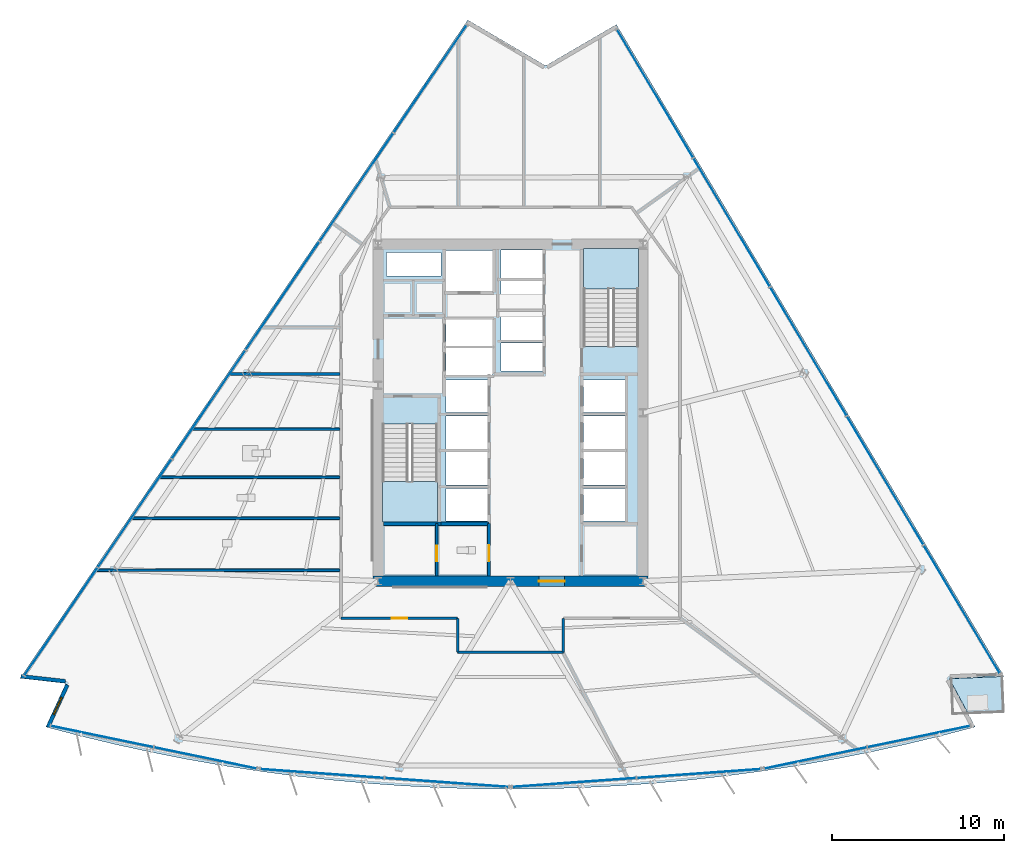
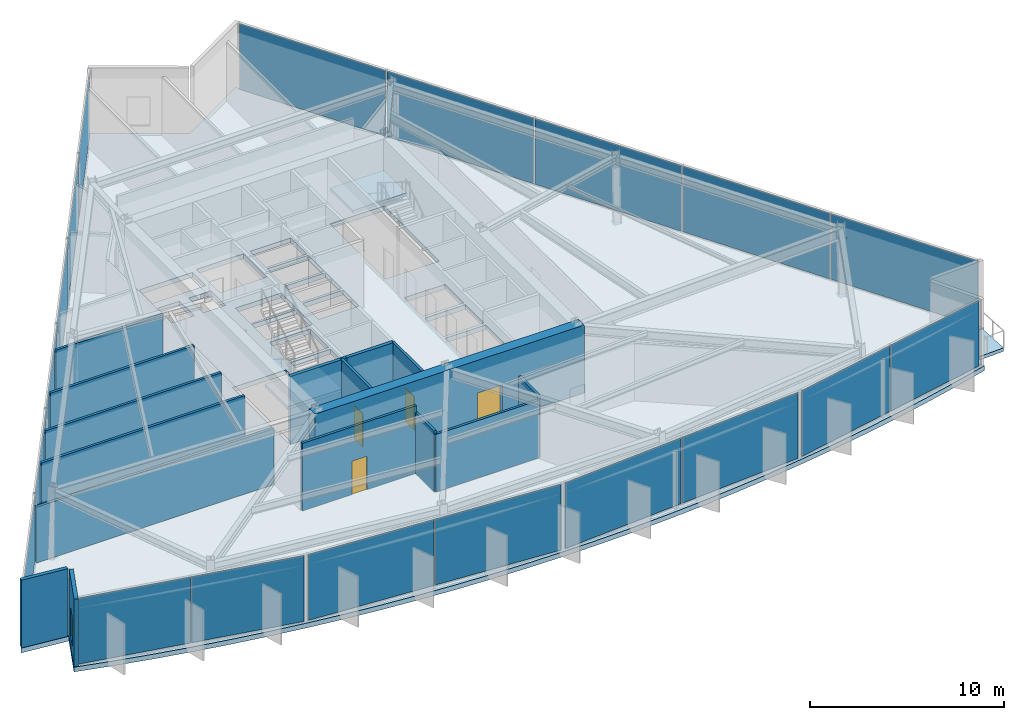
# One storey, part 6 of 14: 19 plates, 16 walls, 4 doors, 4 slabs, 1 window, 5 openings, 8 elements without a shape of their own.
"""IFC4 building model written with IfcOpenShell, lengths in metres."""

from ifc_helpers import new_model, si_unit, direction, frame, frame_2d, origin, origin_2d, place, context, subcontext, project, spatial, polyline, rectangle, outline, extrude, material, layer, layer_set, type_object, element, fill, aggregate, save


model = new_model("IFC4")

# Units and contexts
model_context = context("Model", 3, precision=1e-05, world=origin(), true_north=direction((0.0, 1.0)))
body_context = subcontext(model_context, "Body", "Model", "MODEL_VIEW")
ifc_project = project(units=[si_unit("LENGTHUNIT", "METRE"), si_unit("AREAUNIT", "SQUARE_METRE"), si_unit("VOLUMEUNIT", "CUBIC_METRE"), si_unit("PLANEANGLEUNIT", "RADIAN"), si_unit("MASSUNIT", "GRAM", prefix="KILO")], contexts=[model_context])

# Site, building, storey
site_placement = place(None, origin())
site = spatial("IfcSite", under=ifc_project, at=site_placement, CompositionType="ELEMENT")
building_placement = place(site_placement, origin())
building = spatial("IfcBuilding", under=site, at=building_placement, Name="Savorim Split Tower", CompositionType="ELEMENT")
storey_placement = place(building_placement, frame((0.0, 0.0, 78.0)))
storey = spatial("IfcBuildingStorey", under=building, at=storey_placement, Name="L20", CompositionType="ELEMENT", Elevation=78.0)

# Curtain wall, plates
ifc_material_1 = material(Name="Dark Ceramic-Fritted Insulated Glass", Category="glass")
curtain_wall_type = type_object("IfcCurtainWallType", Name="CW-SKY-ATRIUM", PredefinedType="NOTDEFINED", material=ifc_material_1)
curtain_wall_1_placement = place(storey_placement, origin())
curtain_wall_1 = element("IfcCurtainWall", 1, at=curtain_wall_1_placement, inside=storey, type_object=curtain_wall_type, Name="L20 Curtain Wall CW-L20-SF1", PredefinedType="NOTDEFINED")
ifc_layer_1 = layer(ifc_material_1, 0.028076171875)
ifc_layer_set_1 = layer_set([ifc_layer_1], Name="CWP-FRITA-28")
plate_type = type_object("IfcPlateType", Name="CWP-FRITA-28", PredefinedType="CURTAIN_PANEL", material=ifc_layer_set_1)
plate_1_placement = place(storey_placement, frame((-23.759521484375, -18.44091796875, 0.06005859375), z_axis=(0.0, 0.0, 1.0), x_axis=(0.979135145772, -0.203210153081, 0.0)))
plate_1 = element("IfcPlate", 2, at=plate_1_placement, type_object=plate_type, Name="CW-05 panel 1.1", PredefinedType="CURTAIN_PANEL", context=body_context, shape_type="SweptSolid", body=[
    extrude(rectangle(XDim=6.064453125, YDim=0.028076171875, at=origin_2d()), origin(), (0.0, 0.0, 1.0), 4.1298828125),
])
plate_2_placement = place(storey_placement, frame((-17.7529296875, -19.6875, 0.06005859375), z_axis=(0.0, 0.0, 1.0), x_axis=(0.979135145772, -0.203210153081, 0.0)))
plate_2 = element("IfcPlate", 3, at=plate_2_placement, type_object=plate_type, Name="CW-05 panel 2.1", PredefinedType="CURTAIN_PANEL", context=body_context, shape_type="SweptSolid", body=[
    extrude(rectangle(XDim=6.064453125, YDim=0.028076171875, at=origin_2d()), origin(), (0.0, 0.0, 1.0), 4.1298828125),
])
aggregate(curtain_wall_1, [plate_1, plate_2])

curtain_wall_2_placement = place(storey_placement, origin())
curtain_wall_2 = element("IfcCurtainWall", 4, at=curtain_wall_2_placement, inside=storey, type_object=curtain_wall_type, Name="L20 Curtain Wall CW-L20-SF2", PredefinedType="NOTDEFINED")
plate_3_placement = place(storey_placement, frame((-10.954833984375, -20.594482421875, 0.06005859375), z_axis=(0.0, 0.0, 1.0), x_axis=(0.997436258114, -0.071560540796, 0.0)))
plate_3 = element("IfcPlate", 5, at=plate_3_placement, type_object=plate_type, Name="CW-05 panel 1.1", PredefinedType="CURTAIN_PANEL", context=body_context, shape_type="SweptSolid", body=[
    extrude(rectangle(XDim=7.1943359375, YDim=0.028076171875, at=origin_2d()), origin(), (0.0, 0.0, 1.0), 4.1298828125),
])
plate_4_placement = place(storey_placement, frame((-3.708984375, -21.1142578125, 0.06005859375), z_axis=(0.0, 0.0, 1.0), x_axis=(0.997436258114, -0.071560540796, 0.0)))
plate_4 = element("IfcPlate", 6, at=plate_4_placement, type_object=plate_type, Name="CW-05 panel 2.1", PredefinedType="CURTAIN_PANEL", context=body_context, shape_type="SweptSolid", body=[
    extrude(rectangle(XDim=7.1943359375, YDim=0.028076171875, at=origin_2d()), origin(), (0.0, 0.0, 1.0), 4.1298828125),
])
aggregate(curtain_wall_2, [plate_3, plate_4])

curtain_wall_3_placement = place(storey_placement, origin())
curtain_wall_3 = element("IfcCurtainWall", 7, at=curtain_wall_3_placement, inside=storey, type_object=curtain_wall_type, Name="L20 Curtain Wall CW-L20-SF3", PredefinedType="NOTDEFINED")
plate_5_placement = place(storey_placement, frame((3.708984375, -21.1142578125, 0.06005859375), z_axis=(0.0, 0.0, 1.0), x_axis=(0.997436258114, 0.071560540796, 0.0)))
plate_5 = element("IfcPlate", 8, at=plate_5_placement, type_object=plate_type, Name="CW-05 panel 1.1", PredefinedType="CURTAIN_PANEL", context=body_context, shape_type="SweptSolid", body=[
    extrude(rectangle(XDim=7.1943359375, YDim=0.028076171875, at=origin_2d()), origin(), (0.0, 0.0, 1.0), 4.1298828125),
])
plate_6_placement = place(storey_placement, frame((10.954833984375, -20.594482421875, 0.06005859375), z_axis=(0.0, 0.0, 1.0), x_axis=(0.997436258114, 0.071560540796, 0.0)))
plate_6 = element("IfcPlate", 9, at=plate_6_placement, type_object=plate_type, Name="CW-05 panel 2.1", PredefinedType="CURTAIN_PANEL", context=body_context, shape_type="SweptSolid", body=[
    extrude(rectangle(XDim=7.1943359375, YDim=0.028076171875, at=origin_2d()), origin(), (0.0, 0.0, 1.0), 4.1298828125),
])
aggregate(curtain_wall_3, [plate_5, plate_6])

curtain_wall_4_placement = place(storey_placement, origin())
curtain_wall_4 = element("IfcCurtainWall", 10, at=curtain_wall_4_placement, inside=storey, type_object=curtain_wall_type, Name="L20 Curtain Wall CW-L20-SF4", PredefinedType="NOTDEFINED")
plate_7_placement = place(storey_placement, frame((17.7529296875, -19.6875, 0.06005859375), z_axis=(0.0, 0.0, 1.0), x_axis=(0.979135145772, 0.203210153081, 0.0)))
plate_7 = element("IfcPlate", 11, at=plate_7_placement, type_object=plate_type, Name="CW-05 panel 1.1", PredefinedType="CURTAIN_PANEL", context=body_context, shape_type="SweptSolid", body=[
    extrude(rectangle(XDim=6.064453125, YDim=0.028076171875, at=origin_2d()), origin(), (0.0, 0.0, 1.0), 4.1298828125),
])
plate_8_placement = place(storey_placement, frame((23.759521484375, -18.44091796875, 0.06005859375), z_axis=(0.0, 0.0, 1.0), x_axis=(0.979135145772, 0.203210153081, 0.0)))
plate_8 = element("IfcPlate", 12, at=plate_8_placement, type_object=plate_type, Name="CW-05 panel 2.1", PredefinedType="CURTAIN_PANEL", context=body_context, shape_type="SweptSolid", body=[
    extrude(rectangle(XDim=6.064453125, YDim=0.028076171875, at=origin_2d()), origin(), (0.0, 0.0, 1.0), 4.1298828125),
])
aggregate(curtain_wall_4, [plate_7, plate_8])

curtain_wall_5_placement = place(storey_placement, origin())
curtain_wall_5 = element("IfcCurtainWall", 13, at=curtain_wall_5_placement, inside=storey, type_object=curtain_wall_type, Name="L20 Curtain Wall CW-L20-EAST", PredefinedType="NOTDEFINED")
plate_9_placement = place(storey_placement, frame((26.25537109375, -11.040283203125, 0.06005859375), z_axis=(0.0, 0.0, 1.0), x_axis=(-0.511093312545, 0.85952523283, 0.0)))
plate_9 = element("IfcPlate", 14, at=plate_9_placement, type_object=plate_type, Name="CW-05 panel 1.1", PredefinedType="CURTAIN_PANEL", context=body_context, shape_type="SweptSolid", body=[
    extrude(rectangle(XDim=8.630859375, YDim=0.028076171875, at=origin_2d()), origin(), (0.0, 0.0, 1.0), 4.1298828125),
])
plate_10_placement = place(storey_placement, frame((21.799560546875, -3.54638671875, 0.06005859375), z_axis=(0.0, 0.0, 1.0), x_axis=(-0.511093312545, 0.85952523283, 0.0)))
plate_10 = element("IfcPlate", 15, at=plate_10_placement, type_object=plate_type, Name="CW-05 panel 2.1", PredefinedType="CURTAIN_PANEL", context=body_context, shape_type="SweptSolid", body=[
    extrude(rectangle(XDim=8.666015625, YDim=0.028076171875, at=origin_2d()), origin(), (0.0, 0.0, 1.0), 4.1298828125),
])
plate_11_placement = place(storey_placement, frame((17.334716796875, 3.96240234375, 0.06005859375), z_axis=(0.0, 0.0, 1.0), x_axis=(-0.511093312545, 0.85952523283, 0.0)))
plate_11 = element("IfcPlate", 16, at=plate_11_placement, type_object=plate_type, Name="CW-05 panel 3.1", PredefinedType="CURTAIN_PANEL", context=body_context, shape_type="SweptSolid", body=[
    extrude(rectangle(XDim=8.666015625, YDim=0.028076171875, at=origin_2d()), origin(), (0.0, 0.0, 1.0), 4.1298828125),
])
plate_12_placement = place(storey_placement, frame((12.86962890625, 11.470947265625, 0.06005859375), z_axis=(0.0, 0.0, 1.0), x_axis=(-0.511093312545, 0.85952523283, 0.0)))
plate_12 = element("IfcPlate", 17, at=plate_12_placement, type_object=plate_type, Name="CW-05 panel 4.1", PredefinedType="CURTAIN_PANEL", context=body_context, shape_type="SweptSolid", body=[
    extrude(rectangle(XDim=8.666015625, YDim=0.028076171875, at=origin_2d()), origin(), (0.0, 0.0, 1.0), 4.1298828125),
])
plate_13_placement = place(storey_placement, frame((8.413818359375, 18.96484375, 0.06005859375), z_axis=(0.0, 0.0, 1.0), x_axis=(-0.511093312545, 0.85952523283, 0.0)))
plate_13 = element("IfcPlate", 18, at=plate_13_placement, type_object=plate_type, Name="CW-05 panel 5.1", PredefinedType="CURTAIN_PANEL", context=body_context, shape_type="SweptSolid", body=[
    extrude(rectangle(XDim=8.630859375, YDim=0.028076171875, at=origin_2d()), origin(), (0.0, 0.0, 1.0), 4.1298828125),
])
aggregate(curtain_wall_5, [plate_9, plate_10, plate_11, plate_12, plate_13])

curtain_wall_6_placement = place(storey_placement, origin())
curtain_wall_6 = element("IfcCurtainWall", 19, at=curtain_wall_6_placement, inside=storey, type_object=curtain_wall_type, Name="L20 Curtain Wall CW-L20-WEST", PredefinedType="NOTDEFINED")
plate_14_placement = place(storey_placement, frame((-4.668212890625, 19.822998046875, 0.06005859375), z_axis=(0.0, 0.0, 1.0), x_axis=(-0.562466747381, -0.826819906685, 0.0)))
plate_14 = element("IfcPlate", 20, at=plate_14_placement, type_object=plate_type, Name="CW-05 panel 1.1", PredefinedType="CURTAIN_PANEL", context=body_context, shape_type="SweptSolid", body=[
    extrude(rectangle(XDim=7.54150390625, YDim=0.028076171875, at=origin_2d()), origin(), (0.0, 0.0, 1.0), 4.1298828125),
])
plate_15_placement = place(storey_placement, frame((-8.959228515625, 13.51513671875, 0.06005859375), z_axis=(0.0, 0.0, 1.0), x_axis=(-0.562466747381, -0.826819906685, 0.0)))
plate_15 = element("IfcPlate", 21, at=plate_15_placement, type_object=plate_type, Name="CW-05 panel 2.1", PredefinedType="CURTAIN_PANEL", context=body_context, shape_type="SweptSolid", body=[
    extrude(rectangle(XDim=7.576416015625, YDim=0.028076171875, at=origin_2d()), origin(), (0.0, 0.0, 1.0), 4.1298828125),
])
plate_16_placement = place(storey_placement, frame((-13.260009765625, 7.19287109375, 0.06005859375), z_axis=(0.0, 0.0, 1.0), x_axis=(-0.562466747381, -0.826819906685, 0.0)))
plate_16 = element("IfcPlate", 22, at=plate_16_placement, type_object=plate_type, Name="CW-05 panel 3.1", PredefinedType="CURTAIN_PANEL", context=body_context, shape_type="SweptSolid", body=[
    extrude(rectangle(XDim=7.576416015625, YDim=0.028076171875, at=origin_2d()), origin(), (0.0, 0.0, 1.0), 4.1298828125),
])
plate_17_placement = place(storey_placement, frame((-17.56103515625, 0.87060546875, 0.06005859375), z_axis=(0.0, 0.0, 1.0), x_axis=(-0.562466747381, -0.826819906685, 0.0)))
plate_17 = element("IfcPlate", 23, at=plate_17_placement, type_object=plate_type, Name="CW-05 panel 4.1", PredefinedType="CURTAIN_PANEL", context=body_context, shape_type="SweptSolid", body=[
    extrude(rectangle(XDim=7.576416015625, YDim=0.028076171875, at=origin_2d()), origin(), (0.0, 0.0, 1.0), 4.1298828125),
])
plate_18_placement = place(storey_placement, frame((-21.86181640625, -5.45166015625, 0.06005859375), z_axis=(0.0, 0.0, 1.0), x_axis=(-0.562466747381, -0.826819906685, 0.0)))
plate_18 = element("IfcPlate", 24, at=plate_18_placement, type_object=plate_type, Name="CW-05 panel 5.1", PredefinedType="CURTAIN_PANEL", context=body_context, shape_type="SweptSolid", body=[
    extrude(rectangle(XDim=7.576416015625, YDim=0.028076171875, at=origin_2d()), origin(), (0.0, 0.0, 1.0), 4.1298828125),
])
plate_19_placement = place(storey_placement, frame((-26.153076171875, -11.759521484375, 0.06005859375), z_axis=(0.0, 0.0, 1.0), x_axis=(-0.562466747381, -0.826819906685, 0.0)))
plate_19 = element("IfcPlate", 25, at=plate_19_placement, type_object=plate_type, Name="CW-05 panel 6.1", PredefinedType="CURTAIN_PANEL", context=body_context, shape_type="SweptSolid", body=[
    extrude(rectangle(XDim=7.54150390625, YDim=0.028076171875, at=origin_2d()), origin(), (0.0, 0.0, 1.0), 4.1298828125),
])
aggregate(curtain_wall_6, [plate_14, plate_15, plate_16, plate_17, plate_18, plate_19])

# Slab
ifc_material_2 = material(Name="Concrete C50/60", Category="concrete")
ifc_layer_2 = layer(ifc_material_2, 0.219970703125)
ifc_layer_set_2 = layer_set([ifc_layer_2], Name="SLB-BAL-220")
slab_type_1 = type_object("IfcSlabType", Name="SLB-BAL-220", PredefinedType="FLOOR", material=ifc_layer_set_2)
slab_1_placement = place(storey_placement, frame((0.0, 0.0, -0.219970703125)))
element("IfcSlab", 26, at=slab_1_placement, inside=storey, type_object=slab_type_1, Name="L20 Notched Corner Planted Tree Balcony Slab", PredefinedType="FLOOR", context=body_context, shape_type="SweptSolid", body=[
    extrude(outline(polyline([(28.5927734375, -14.947509765625), (25.64892578125, -15.07275390625), (25.65869140625, -15.3046875), (26.61083984375, -17.07861328125), (28.6796875, -16.990478515625), (28.5927734375, -14.947509765625)])), origin(), (0.0, 0.0, 1.0), 0.219970703125),
])

# Stair, slab
stair_type = type_object("IfcStairType", Name="STR-DOG-4500", PredefinedType="HALF_TURN_STAIR", material=ifc_material_2)
stair_1_placement = place(storey_placement, origin())
stair_1 = element("IfcStair", 27, at=stair_1_placement, inside=storey, type_object=stair_type, Name="L20 Core Protected Exit Stair ST-1", PredefinedType="HALF_TURN_STAIR")
ifc_layer_3 = layer(ifc_material_2, 0.199951171875)
ifc_layer_set_3 = layer_set([ifc_layer_3], Name="SLB-LND-200")
slab_type_2 = type_object("IfcSlabType", Name="SLB-LND-200", PredefinedType="LANDING", material=ifc_layer_set_3)
slab_2_placement = place(storey_placement, frame((0.0, 0.0, 2.050048828125)))
slab_2 = element("IfcSlab", 28, at=slab_2_placement, type_object=slab_type_2, Name="ST-1 landing 1", PredefinedType="LANDING", context=body_context, shape_type="SweptSolid", body=[
    extrude(outline(polyline([(-7.449951171875, -3.610107421875), (-7.449951171875, -5.949951171875), (-4.25, -5.949951171875), (-4.25, -3.610107421875), (-7.449951171875, -3.610107421875)])), origin(), (0.0, 0.0, 1.0), 0.199951171875),
])
aggregate(stair_1, [slab_2])

stair_2_placement = place(storey_placement, origin())
stair_2 = element("IfcStair", 29, at=stair_2_placement, inside=storey, type_object=stair_type, Name="L20 Core Protected Exit Stair ST-2", PredefinedType="HALF_TURN_STAIR")
slab_3_placement = place(storey_placement, frame((0.0, 0.0, 2.050048828125)))
slab_3 = element("IfcSlab", 30, at=slab_3_placement, type_object=slab_type_2, Name="ST-2 landing 1", PredefinedType="LANDING", context=body_context, shape_type="SweptSolid", body=[
    extrude(outline(polyline([(7.449951171875, 7.610107421875), (7.449951171875, 9.949951171875), (4.25, 9.949951171875), (4.25, 7.610107421875), (7.449951171875, 7.610107421875)])), origin(), (0.0, 0.0, 1.0), 0.199951171875),
])
aggregate(stair_2, [slab_3])

# Slab
ifc_layer_4 = layer(ifc_material_2, 0.300048828125)
ifc_layer_set_4 = layer_set([ifc_layer_4], Name="SLB-SKY-300")
slab_type_3 = type_object("IfcSlabType", Name="SLB-SKY-300", PredefinedType="FLOOR", material=ifc_layer_set_4)
slab_4_placement = place(storey_placement, frame((0.0, 0.0, -0.300048828125)))
element("IfcSlab", 31, at=slab_4_placement, inside=storey, type_object=slab_type_3, Name="L20 Structural Floor Slab", PredefinedType="FLOOR", context=body_context, shape_type="SweptSolid", body=[
    extrude(outline(polyline([(-27.036865234375, -17.88330078125), (-25.000732421875, -18.415771484375), (-22.954345703125, -18.90625), (-20.898193359375, -19.35498046875), (-18.83349609375, -19.76171875), (-16.7607421875, -20.125732421875), (-14.68115234375, -20.447509765625), (-12.59521484375, -20.7265625), (-10.504150390625, -20.962890625), (-8.40869140625, -21.156494140625), (-6.3095703125, -21.30712890625), (-4.207763671875, -21.414794921875), (-2.104248046875, -21.479248046875), (0.0, -21.500732421875), (2.104248046875, -21.479248046875), (4.207763671875, -21.414794921875), (6.3095703125, -21.30712890625), (8.40869140625, -21.156494140625), (10.504150390625, -20.962890625), (12.59521484375, -20.7265625), (14.68115234375, -20.447509765625), (16.7607421875, -20.125732421875), (18.83349609375, -19.76171875), (20.898193359375, -19.35498046875), (22.954345703125, -18.90625), (25.000732421875, -18.415771484375), (27.036865234375, -17.88330078125), (25.52880859375, -15.072998046875), (28.71240234375, -14.9375), (6.1630859375, 22.984619140625), (2.046875, 20.585693359375), (-2.4833984375, 23.248046875), (-28.536376953125, -15.049560546875), (-25.87158203125, -15.34716796875), (-27.036865234375, -17.88330078125)]), holes=[polyline([(-7.449951171875, -0.25390625), (-7.449951171875, -5.949951171875), (-4.25, -5.949951171875), (-4.25, -0.25390625), (-7.449951171875, -0.25390625)]), polyline([(7.449951171875, 4.25390625), (7.449951171875, 9.949951171875), (4.25, 9.949951171875), (4.25, 4.25390625), (7.449951171875, 4.25390625)]), polyline([(4.25, -5.89990234375), (6.64990234375, -5.89990234375), (6.64990234375, -4.0), (4.25, -4.0), (4.25, -5.89990234375)]), polyline([(4.25, -3.800048828125), (6.64990234375, -3.800048828125), (6.64990234375, -1.89990234375), (4.25, -1.89990234375), (4.25, -3.800048828125)]), polyline([(4.25, -1.699951171875), (6.64990234375, -1.699951171875), (6.64990234375, 0.199951171875), (4.25, 0.199951171875), (4.25, -1.699951171875)]), polyline([(4.25, 0.39990234375), (6.64990234375, 0.39990234375), (6.64990234375, 2.300048828125), (4.25, 2.300048828125), (4.25, 0.39990234375)]), polyline([(-3.75, -5.89990234375), (-1.35009765625, -5.89990234375), (-1.35009765625, -4.0), (-3.75, -4.0), (-3.75, -5.89990234375)]), polyline([(-3.75, -3.800048828125), (-1.35009765625, -3.800048828125), (-1.35009765625, -1.89990234375), (-3.75, -1.89990234375), (-3.75, -3.800048828125)]), polyline([(-3.75, -1.699951171875), (-1.35009765625, -1.699951171875), (-1.35009765625, 0.199951171875), (-3.75, 0.199951171875), (-3.75, -1.699951171875)]), polyline([(-3.75, 0.39990234375), (-1.35009765625, 0.39990234375), (-1.35009765625, 2.300048828125), (-3.75, 2.300048828125), (-3.75, 0.39990234375)]), polyline([(-0.550048828125, 2.830078125), (1.85009765625, 2.830078125), (1.85009765625, 4.469970703125), (-0.550048828125, 4.469970703125), (-0.550048828125, 2.830078125)]), polyline([(-0.550048828125, 4.6298828125), (1.85009765625, 4.6298828125), (1.85009765625, 6.27001953125), (-0.550048828125, 6.27001953125), (-0.550048828125, 4.6298828125)]), polyline([(-0.550048828125, 6.429931640625), (1.85009765625, 6.429931640625), (1.85009765625, 8.070068359375), (-0.550048828125, 8.070068359375), (-0.550048828125, 6.429931640625)]), polyline([(-0.550048828125, 8.22998046875), (1.85009765625, 8.22998046875), (1.85009765625, 9.8701171875), (-0.550048828125, 9.8701171875), (-0.550048828125, 8.22998046875)]), polyline([(-3.75, 2.60009765625), (-1.050048828125, 2.60009765625), (-1.050048828125, 4.159912109375), (-3.75, 4.159912109375), (-3.75, 2.60009765625)]), polyline([(-3.75, 4.280029296875), (-1.050048828125, 4.280029296875), (-1.050048828125, 5.840087890625), (-3.75, 5.840087890625), (-3.75, 4.280029296875)]), polyline([(-3.75, 7.449951171875), (-0.949951171875, 7.449951171875), (-0.949951171875, 9.85009765625), (-3.75, 9.85009765625), (-3.75, 7.449951171875)]), polyline([(-7.219970703125, 6.320068359375), (-5.919921875, 6.320068359375), (-5.919921875, 7.820068359375), (-7.219970703125, 7.820068359375), (-7.219970703125, 6.320068359375)]), polyline([(-5.3798828125, 6.320068359375), (-4.050048828125, 6.320068359375), (-4.050048828125, 7.820068359375), (-5.3798828125, 7.820068359375), (-5.3798828125, 6.320068359375)]), polyline([(-7.219970703125, 8.360107421875), (-4.050048828125, 8.360107421875), (-4.050048828125, 9.719970703125), (-7.219970703125, 9.719970703125), (-7.219970703125, 8.360107421875)])]), origin(), (0.0, 0.0, 1.0), 0.300048828125),
])

# Wall, opening, door
ifc_material_3 = material(Name="Concrete C60/75", Category="concrete")
ifc_layer_5 = layer(ifc_material_3, 0.60009765625)
ifc_layer_set_5 = layer_set([ifc_layer_5], Name="WAL-COR-SH600")
wall_type_1 = type_object("IfcWallType", Name="WAL-COR-SH600", PredefinedType="SHEAR", material=ifc_layer_set_5)
wall_1_placement = place(storey_placement, frame((-8.0, -9.39990234375, 0.0), z_axis=(0.0, 0.0, 1.0), x_axis=(1.0, 0.0, 0.0)))
wall_1 = element("IfcWall", 32, at=wall_1_placement, inside=storey, type_object=wall_type_1, Name="L20 Offset Core South Shear Wall", PredefinedType="SHEAR", context=body_context, shape_type="SweptSolid", body=[
    extrude(rectangle(XDim=16.0, YDim=0.60009765625, at=frame_2d((8.0, 0.0))), origin(), (0.0, 0.0, 1.0), 4.25),
])
opening_1_placement = place(wall_1_placement, frame((9.64990234375, 0.0, 0.0)))
opening_1 = element("IfcOpeningElement", 33, at=opening_1_placement, cuts=wall_1, Name="Opening DI-02", PredefinedType="OPENING", context=body_context, shape_type="SweptSolid", body=[
    extrude(rectangle(XDim=1.5, YDim=2.199951171875, at=frame_2d((0.75, 1.10009765625))), frame((0.0, 0.31005859375, 0.0), z_axis=(0.0, -1.0, 0.0), x_axis=(1.0, 0.0, 0.0)), (0.0, 0.0, 1.0), 0.6201171875),
])
ifc_material_4 = material(Name="Timber Fire Door Leaf", Category="wood")
door_type_1 = type_object("IfcDoorType", Name="DOR-DBL-1500", OperationType="NOTDEFINED", PredefinedType="DOOR", material=ifc_material_4)
door_1_placement = place(opening_1_placement, origin())
door_1 = element("IfcDoor", 34, at=door_1_placement, inside=storey, type_object=door_type_1, Name="DOR-L20-COR-LLOB - L20 Lift Lobby Main Rated Door", OperationType="DOUBLE_DOOR_SINGLE_SWING", OverallHeight=2.199951171875, OverallWidth=1.5, PredefinedType="DOOR", context=body_context, shape_type="SweptSolid", body=[
    extrude(rectangle(XDim=1.5, YDim=2.199951171875, at=frame_2d((0.75, 1.10009765625))), frame((0.0, 0.02490234375, 0.0), z_axis=(0.0, -1.0, 0.0), x_axis=(1.0, 0.0, 0.0)), (0.0, 0.0, 1.0), 0.050048828125),
])
fill(opening_1, door_1)

# Wall
ifc_material_5 = material(Name="Precast concrete C40/50", Category="concrete")
ifc_layer_6 = layer(ifc_material_5, 0.219970703125)
ifc_layer_set_6 = layer_set([ifc_layer_6], Name="WAL-EXT-CRN220")
wall_type_2 = type_object("IfcWallType", Name="WAL-EXT-CRN220", PredefinedType="SOLIDWALL", material=ifc_layer_set_6)
wall_2_placement = place(storey_placement, frame((-25.89794921875, -15.223388671875, 0.0), z_axis=(0.0, 0.0, 1.0), x_axis=(-0.993827522589, 0.110936267041, 0.0)))
element("IfcWall", 35, at=wall_2_placement, inside=storey, type_object=wall_type_2, Name="L20 Notched Corner Facade Wall SW1", PredefinedType="SOLIDWALL", context=body_context, shape_type="SweptSolid", body=[
    extrude(rectangle(XDim=2.601318359375, YDim=0.219970703125, at=frame_2d((1.30078125, 0.0))), origin(), (0.0, 0.0, 1.0), 4.25),
])

# Wall, opening, window
wall_3_placement = place(storey_placement, frame((-26.9111328125, -17.89697265625, 0.0), z_axis=(0.0, 0.0, 1.0), x_axis=(0.417504190978, 0.908674997189, 0.0)))
wall_3 = element("IfcWall", 36, at=wall_3_placement, inside=storey, type_object=wall_type_2, Name="L20 Notched Corner Facade Wall SW", PredefinedType="SOLIDWALL", context=body_context, shape_type="SweptSolid", body=[
    extrude(rectangle(XDim=2.7109375, YDim=0.219970703125, at=frame_2d((1.35546875, 0.0))), origin(), (0.0, 0.0, 1.0), 4.25),
])
opening_2_placement = place(wall_3_placement, frame((0.805419921875, 0.0, 0.6201171875)))
opening_2 = element("IfcOpeningElement", 37, at=opening_2_placement, cuts=wall_3, Name="Opening WN-09", PredefinedType="OPENING", context=body_context, shape_type="SweptSolid", body=[
    extrude(rectangle(XDim=1.10009765625, YDim=1.800048828125, at=frame_2d((0.550048828125, 0.89990234375))), frame((0.0, 0.119873046875, 0.0), z_axis=(0.0, -1.0, 0.0), x_axis=(1.0, 0.0, 0.0)), (0.0, 0.0, 1.0), 0.239990234375),
])
ifc_material_6 = material(Name="Low-E Operable Double Glazing", Category="glass")
window_type = type_object("IfcWindowType", Name="WIN-TWR-1100x1800", PartitioningType="SINGLE_PANEL", PredefinedType="WINDOW", material=ifc_material_6)
window_placement = place(opening_2_placement, origin())
window = element("IfcWindow", 38, at=window_placement, inside=storey, type_object=window_type, Name="L20 Operable Corner Window SW", OverallHeight=1.800048828125, OverallWidth=1.10009765625, PartitioningType="SINGLE_PANEL", PredefinedType="WINDOW", context=body_context, shape_type="SweptSolid", body=[
    extrude(rectangle(XDim=1.10009765625, YDim=1.800048828125, at=frame_2d((0.550048828125, 0.89990234375))), frame((0.0, 0.030029296875, 0.0), z_axis=(0.0, -1.0, 0.0), x_axis=(1.0, 0.0, 0.0)), (0.0, 0.0, 1.0), 0.06005859375),
])
fill(opening_2, window)

# Walls
ifc_layer_7 = layer(ifc_material_2, 0.199951171875)
ifc_layer_set_7 = layer_set([ifc_layer_7], Name="WAL-INT-RC200")
wall_type_3 = type_object("IfcWallType", Name="WAL-INT-RC200", PredefinedType="SOLIDWALL", material=ifc_layer_set_7)
wall_4_placement = place(storey_placement, frame((-7.39990234375, -6.050048828125, 0.0), z_axis=(0.0, 0.0, 1.0), x_axis=(1.0, 0.0, 0.0)))
element("IfcWall", 39, at=wall_4_placement, inside=storey, type_object=wall_type_3, Name="L20 Structural Shaft Wall W-L20-KSEP-W", PredefinedType="SOLIDWALL", context=body_context, shape_type="SweptSolid", body=[
    extrude(rectangle(XDim=3.349853515625, YDim=0.199951171875, at=frame_2d((1.6748046875, 0.0))), origin(), (0.0, 0.0, 1.0), 4.25),
])
wall_5_placement = place(storey_placement, frame((-4.0400390625, -6.050048828125, 0.0), z_axis=(0.0, 0.0, 1.0), x_axis=(1.0, 0.0, 0.0)))
element("IfcWall", 40, at=wall_5_placement, inside=storey, type_object=wall_type_3, Name="L20 Partition W-L20-KSEP-W2", PredefinedType="SOLIDWALL", context=body_context, shape_type="SweptSolid", body=[
    extrude(rectangle(XDim=2.7900390625, YDim=0.199951171875, at=frame_2d((1.39501953125, 0.0))), origin(), (0.0, 0.0, 1.0), 4.25),
])

# Wall, opening, door
ifc_material_7 = material(Name="Acoustic Gypsum Partition Board")
ifc_layer_8 = layer(ifc_material_7, 0.14990234375)
ifc_layer_set_8 = layer_set([ifc_layer_8], Name="WAL-PAR-150")
wall_type_4 = type_object("IfcWallType", Name="WAL-PAR-150", PredefinedType="PARTITIONING", material=ifc_layer_set_8)
wall_6_placement = place(storey_placement, frame((-1.25, -9.094970703125, 0.0), z_axis=(0.0, 0.0, 1.0), x_axis=(0.0, 1.0, 0.0)))
wall_6 = element("IfcWall", 41, at=wall_6_placement, inside=storey, type_object=wall_type_4, Name="L20 Partition W-L20-KLOB-W", PredefinedType="PARTITIONING", context=body_context, shape_type="SweptSolid", body=[
    extrude(rectangle(XDim=3.044921875, YDim=0.14990234375, at=frame_2d((1.5224609375, 0.0))), origin(), (0.0, 0.0, 1.0), 4.25),
])
opening_3_placement = place(wall_6_placement, frame((0.844970703125, 0.0, 0.0)))
opening_3 = element("IfcOpeningElement", 42, at=opening_3_placement, cuts=wall_6, Name="Opening DI-10", PredefinedType="OPENING", context=body_context, shape_type="SweptSolid", body=[
    extrude(rectangle(XDim=0.949951171875, YDim=2.10009765625, at=frame_2d((0.47509765625, 1.050048828125))), frame((0.0, 0.0849609375, 0.0), z_axis=(0.0, -1.0, 0.0), x_axis=(1.0, 0.0, 0.0)), (0.0, 0.0, 1.0), 0.169921875),
])
ifc_material_8 = material(Name="Oak Veneer Acoustic Door")
door_type_2 = type_object("IfcDoorType", Name="DOR-WC-950", OperationType="NOTDEFINED", PredefinedType="DOOR", material=ifc_material_8)
door_2_placement = place(opening_3_placement, origin())
door_2 = element("IfcDoor", 43, at=door_2_placement, inside=storey, type_object=door_type_2, Name="DR-L20-K1WC - L20 Core Accessible WC Door", OperationType="SINGLE_SWING_LEFT", OverallHeight=2.10009765625, OverallWidth=0.949951171875, PredefinedType="DOOR", context=body_context, shape_type="SweptSolid", body=[
    extrude(rectangle(XDim=0.949951171875, YDim=2.10009765625, at=frame_2d((0.47509765625, 1.050048828125))), frame((0.0, 0.02490234375, 0.0), z_axis=(0.0, -1.0, 0.0), x_axis=(1.0, 0.0, 0.0)), (0.0, 0.0, 1.0), 0.050048828125),
])
fill(opening_3, door_2)

wall_7_placement = place(storey_placement, frame((-4.300048828125, -9.094970703125, 0.0), z_axis=(0.0, 0.0, 1.0), x_axis=(0.0, 1.0, 0.0)))
wall_7 = element("IfcWall", 44, at=wall_7_placement, inside=storey, type_object=wall_type_4, Name="L20 Partition W-L20-K1W", PredefinedType="PARTITIONING", context=body_context, shape_type="SweptSolid", body=[
    extrude(rectangle(XDim=3.044921875, YDim=0.14990234375, at=frame_2d((1.5224609375, 0.0))), origin(), (0.0, 0.0, 1.0), 4.25),
])
opening_4_placement = place(wall_7_placement, frame((0.844970703125, 0.0, 0.0)))
opening_4 = element("IfcOpeningElement", 45, at=opening_4_placement, cuts=wall_7, Name="Opening DI-06", PredefinedType="OPENING", context=body_context, shape_type="SweptSolid", body=[
    extrude(rectangle(XDim=0.89990234375, YDim=2.10009765625, at=frame_2d((0.449951171875, 1.050048828125))), frame((0.0, 0.0849609375, 0.0), z_axis=(0.0, -1.0, 0.0), x_axis=(1.0, 0.0, 0.0)), (0.0, 0.0, 1.0), 0.169921875),
])
door_type_3 = type_object("IfcDoorType", Name="DOR-FIR-900", OperationType="NOTDEFINED", PredefinedType="DOOR", material=ifc_material_4)
door_3_placement = place(opening_4_placement, origin())
door_3 = element("IfcDoor", 46, at=door_3_placement, inside=storey, type_object=door_type_3, Name="DR-L20-K1HK - L20 Housekeeping Store Door", OperationType="SINGLE_SWING_RIGHT", OverallHeight=2.10009765625, OverallWidth=0.89990234375, PredefinedType="DOOR", context=body_context, shape_type="SweptSolid", body=[
    extrude(rectangle(XDim=0.89990234375, YDim=2.10009765625, at=frame_2d((0.449951171875, 1.050048828125))), frame((0.0, 0.02490234375, 0.0), z_axis=(0.0, -1.0, 0.0), x_axis=(1.0, 0.0, 0.0)), (0.0, 0.0, 1.0), 0.050048828125),
])
fill(opening_4, door_3)

# Walls
wall_8_placement = place(storey_placement, frame((3.080078125, -11.56005859375, 0.0), z_axis=(0.0, 0.0, 1.0), x_axis=(0.0, -1.0, 0.0)))
element("IfcWall", 47, at=wall_8_placement, inside=storey, type_object=wall_type_4, Name="L20 Partition W-L20-COR-07", PredefinedType="PARTITIONING", context=body_context, shape_type="SweptSolid", body=[
    extrude(rectangle(XDim=1.969970703125, YDim=0.14990234375, at=frame_2d((0.98486328125, 0.0))), origin(), (0.0, 0.0, 1.0), 3.925048828125),
])
wall_9_placement = place(storey_placement, frame((3.080078125, -13.530029296875, 0.0), z_axis=(0.0, 0.0, 1.0), x_axis=(-1.0, 0.0, 0.0)))
element("IfcWall", 48, at=wall_9_placement, inside=storey, type_object=wall_type_4, Name="L20 Partition W-L20-COR-08", PredefinedType="PARTITIONING", context=body_context, shape_type="SweptSolid", body=[
    extrude(rectangle(XDim=6.16015625, YDim=0.14990234375, at=frame_2d((3.080078125, 0.0))), origin(), (0.0, 0.0, 1.0), 3.625),
])
wall_10_placement = place(storey_placement, frame((-3.080078125, -13.530029296875, 0.0), z_axis=(0.0, 0.0, 1.0), x_axis=(0.0, 1.0, 0.0)))
element("IfcWall", 49, at=wall_10_placement, inside=storey, type_object=wall_type_4, Name="L20 Partition W-L20-COR-09", PredefinedType="PARTITIONING", context=body_context, shape_type="SweptSolid", body=[
    extrude(rectangle(XDim=1.969970703125, YDim=0.14990234375, at=frame_2d((0.98486328125, 0.0))), origin(), (0.0, 0.0, 1.0), 3.824951171875),
])

# Wall, opening, door
wall_11_placement = place(storey_placement, frame((-3.080078125, -11.56005859375, 0.0), z_axis=(0.0, 0.0, 1.0), x_axis=(-1.0, 0.0, 0.0)))
wall_11 = element("IfcWall", 50, at=wall_11_placement, inside=storey, type_object=wall_type_4, Name="L20 Partition W-L20-COR-10", PredefinedType="PARTITIONING", context=body_context, shape_type="SweptSolid", body=[
    extrude(rectangle(XDim=6.780029296875, YDim=0.14990234375, at=frame_2d((3.39013671875, 0.0))), origin(), (0.0, 0.0, 1.0), 4.25),
])
opening_5_placement = place(wall_11_placement, frame((2.93994140625, 0.0, 0.0)))
opening_5 = element("IfcOpeningElement", 51, at=opening_5_placement, cuts=wall_11, Name="Opening DI-06", PredefinedType="OPENING", context=body_context, shape_type="SweptSolid", body=[
    extrude(rectangle(XDim=0.89990234375, YDim=2.10009765625, at=frame_2d((0.449951171875, 1.050048828125))), frame((0.0, 0.0849609375, 0.0), z_axis=(0.0, -1.0, 0.0), x_axis=(1.0, 0.0, 0.0)), (0.0, 0.0, 1.0), 0.169921875),
])
door_4_placement = place(opening_5_placement, origin())
door_4 = element("IfcDoor", 52, at=door_4_placement, inside=storey, type_object=door_type_3, Name="DR-L20-RM04 - L20 Co-Working Commons Entry Door", OperationType="SINGLE_SWING_LEFT", OverallHeight=2.10009765625, OverallWidth=0.89990234375, PredefinedType="DOOR", context=body_context, shape_type="SweptSolid", body=[
    extrude(rectangle(XDim=0.89990234375, YDim=2.10009765625, at=frame_2d((0.449951171875, 1.050048828125))), frame((0.0, 0.02490234375, 0.0), z_axis=(0.0, -1.0, 0.0), x_axis=(1.0, 0.0, 0.0)), (0.0, 0.0, 1.0), 0.050048828125),
])
fill(opening_5, door_4)

# Walls
wall_12_placement = place(storey_placement, frame((-9.919921875, 2.652099609375, 0.0), z_axis=(0.0, 0.0, 1.0), x_axis=(-1.0, 0.0, 0.0)))
element("IfcWall", 53, at=wall_12_placement, inside=storey, type_object=wall_type_4, Name="L20 Partition W-L20-SLR09", PredefinedType="PARTITIONING", context=body_context, shape_type="SweptSolid", body=[
    extrude(rectangle(XDim=6.368896484375, YDim=0.14990234375, at=frame_2d((3.1845703125, 0.0))), origin(), (0.0, 0.0, 1.0), 3.72509765625),
])
wall_13_placement = place(storey_placement, frame((-9.919921875, -8.7646484375, 0.0), z_axis=(0.0, 0.0, 1.0), x_axis=(-1.0, 0.0, 0.0)))
element("IfcWall", 54, at=wall_13_placement, inside=storey, type_object=wall_type_4, Name="L20 Partition W-L20-SLR10", PredefinedType="PARTITIONING", context=body_context, shape_type="SweptSolid", body=[
    extrude(rectangle(XDim=14.13525390625, YDim=0.14990234375, at=frame_2d((7.067626953125, 0.0))), origin(), (0.0, 0.0, 1.0), 3.509033203125),
])
wall_14_placement = place(storey_placement, frame((-9.919921875, -3.356201171875, 0.0), z_axis=(0.0, 0.0, 1.0), x_axis=(-1.0, 0.0, 0.0)))
element("IfcWall", 55, at=wall_14_placement, inside=storey, type_object=wall_type_4, Name="L20 Partition W-L20-SLSUB01", PredefinedType="PARTITIONING", context=body_context, shape_type="SweptSolid", body=[
    extrude(rectangle(XDim=10.4560546875, YDim=0.14990234375, at=frame_2d((5.22802734375, 0.0))), origin(), (0.0, 0.0, 1.0), 3.735107421875),
])
wall_15_placement = place(storey_placement, frame((-9.919921875, -0.552001953125, 0.0), z_axis=(0.0, 0.0, 1.0), x_axis=(-1.0, 0.0, 0.0)))
element("IfcWall", 56, at=wall_15_placement, inside=storey, type_object=wall_type_4, Name="L20 Partition W-L20-SLSUB04", PredefinedType="PARTITIONING", context=body_context, shape_type="SweptSolid", body=[
    extrude(rectangle(XDim=8.548583984375, YDim=0.14990234375, at=frame_2d((4.2744140625, 0.0))), origin(), (0.0, 0.0, 1.0), 3.735107421875),
])
wall_16_placement = place(storey_placement, frame((-9.919921875, -5.740478515625, 0.0), z_axis=(0.0, 0.0, 1.0), x_axis=(-1.0, 0.0, 0.0)))
element("IfcWall", 57, at=wall_16_placement, inside=storey, type_object=wall_type_4, Name="L20 Partition W-L20-SLSUB05", PredefinedType="PARTITIONING", context=body_context, shape_type="SweptSolid", body=[
    extrude(rectangle(XDim=12.077880859375, YDim=0.14990234375, at=frame_2d((6.0390625, 0.0))), origin(), (0.0, 0.0, 1.0), 3.735107421875),
])

save(model, "model.ifc")
